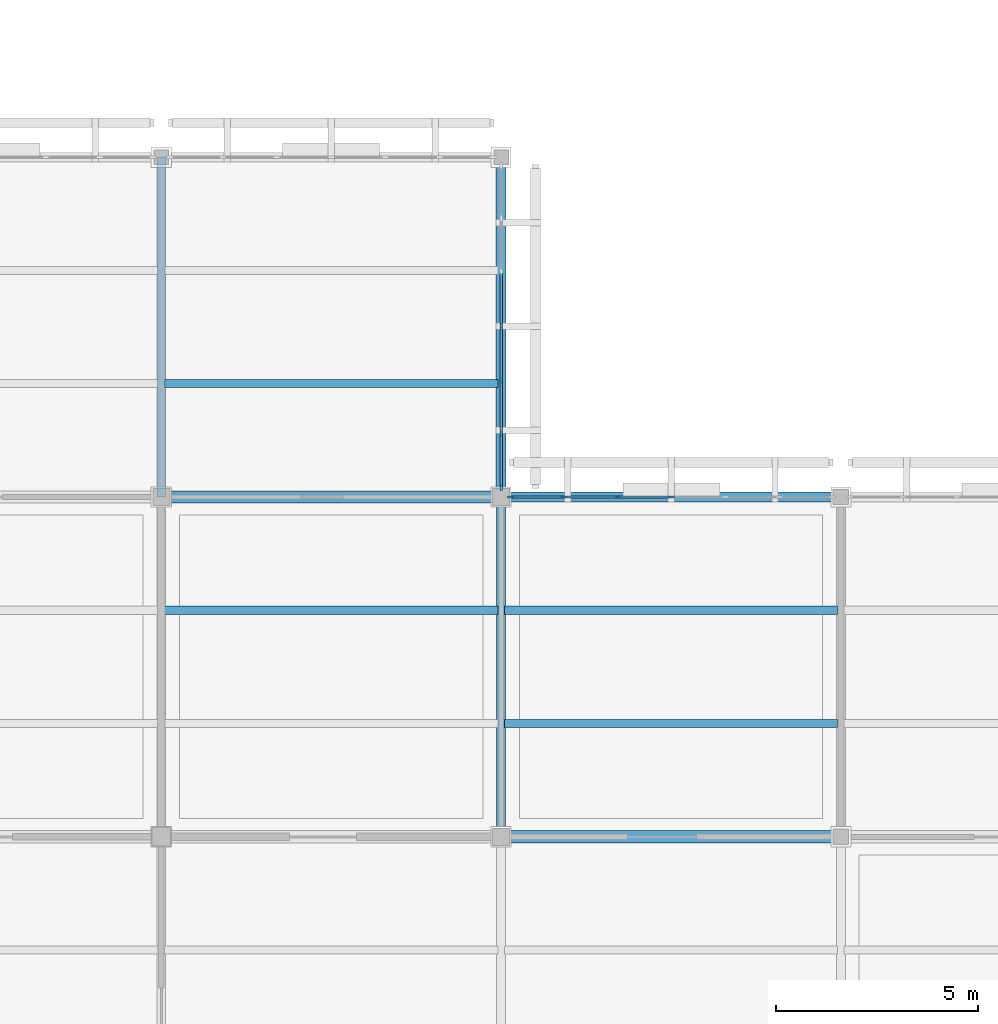
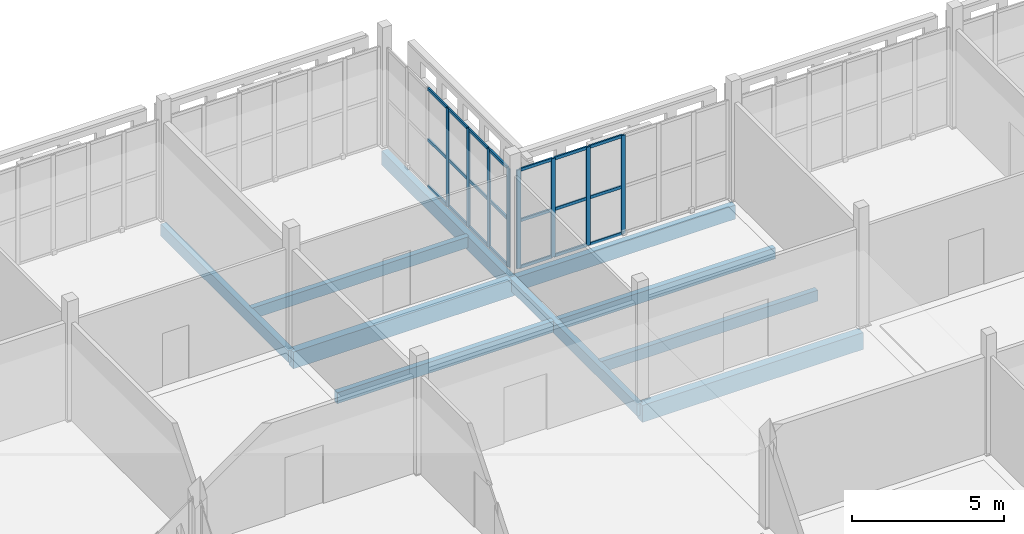
# One storey, part 27 of 203: 29 members, 10 beams, 2 elements without a shape of their own.
"""IFC4 building model written with IfcOpenShell, lengths in metres."""

from ifc_helpers import new_model, si_unit, direction, frame, origin, origin_2d, place, context, subcontext, project, spatial, rectangle, extrude, material, layer, layer_set, material_profile, profile_set, type_object, element, aggregate, save


model = new_model("IFC4")

# Units and contexts
model_context = context("Model", 3, precision=1e-05, world=origin(), true_north=direction((0.0, 1.0)))
body_context = subcontext(model_context, "Body", "Model", "MODEL_VIEW")
ifc_project = project(units=[si_unit("LENGTHUNIT", "METRE"), si_unit("AREAUNIT", "SQUARE_METRE"), si_unit("VOLUMEUNIT", "CUBIC_METRE"), si_unit("PLANEANGLEUNIT", "RADIAN"), si_unit("MASSUNIT", "GRAM", prefix="KILO")], contexts=[model_context])

# Site, building, storey
site_placement = place(None, origin())
site = spatial("IfcSite", under=ifc_project, at=site_placement, CompositionType="ELEMENT")
building_placement = place(site_placement, origin())
building = spatial("IfcBuilding", under=site, at=building_placement, Name="Varnapada Polytechnic", CompositionType="ELEMENT")
storey_placement = place(building_placement, frame((0.0, 0.0, 4.800048828125)))
storey = spatial("IfcBuildingStorey", under=building, at=storey_placement, Name="L01", CompositionType="ELEMENT", Elevation=4.800048828125)

# Beams
ifc_material_1 = material(Name="Glulam GL32h", Category="wood")
ifc_material_profile_1 = material_profile(ifc_material_1, rectangle(XDim=0.199951171875, YDim=0.43994140625, at=origin_2d()), Name="GL 200x440")
ifc_profile_set_1 = profile_set([ifc_material_profile_1], Name="Glulam GL32h")
beam_type_1 = type_object("IfcBeamType", Name="Heavy laboratory glulam joist GJ-03 (GL 200x440)", PredefinedType="JOIST", material=ifc_profile_set_1)
for number, where, z_axis, x_axis, name in (
    (1, (50.47998046875, 39.199951171875, -0.47998046875), (1.0, 0.0, 0.0), (0.0, 1.0, 0.0), "L01 floor joist 7/5.2"),
    (2, (50.47998046875, 44.800048828125, -0.47998046875), (1.0, 0.0, 0.0), (0.0, 1.0, 0.0), "L01 floor joist 7/6.1"),
):
    element("IfcBeam", number, at=place(storey_placement, frame(where, z_axis=z_axis, x_axis=x_axis)), inside=storey, type_object=beam_type_1, Name=name, PredefinedType="JOIST", context=body_context, shape_type="SweptSolid", body=[
        extrude(rectangle(XDim=0.199951171875, YDim=0.43994140625, at=origin_2d()), origin(), (0.0, 0.0, 1.0), 8.239990234375),
    ])
for number, where, z_axis, x_axis, name in (
    (3, (58.8798828125, 36.39990234375, -0.47998046875), (1.0, 0.0, 0.0), (0.0, 1.0, 0.0), "L01 floor joist 8/5.1"),
    (4, (58.8798828125, 39.199951171875, -0.47998046875), (1.0, 0.0, 0.0), (0.0, 1.0, 0.0), "L01 floor joist 8/5.2"),
):
    element("IfcBeam", number, at=place(storey_placement, frame(where, z_axis=z_axis, x_axis=x_axis)), inside=storey, type_object=beam_type_1, Name=name, PredefinedType="JOIST", context=body_context, shape_type="SweptSolid", body=[
        extrude(rectangle(XDim=0.199951171875, YDim=0.43994140625, at=origin_2d()), origin(), (0.0, 0.0, 1.0), 8.240234375),
    ])

# Curtain wall, members
ifc_material_2 = material(Name="Double low-E laminated glass", Category="glass")
ifc_layer = layer(ifc_material_2, 0.159912109375)
ifc_layer_set = layer_set([ifc_layer], Name="Double low-E laminated glass")
curtain_wall_type = type_object("IfcCurtainWallType", Name="Curtain Wall CW-01", PredefinedType="NOTDEFINED", material=ifc_layer_set)
curtain_wall_1_placement = place(storey_placement, origin())
curtain_wall_1 = element("IfcCurtainWall", 5, at=curtain_wall_1_placement, inside=storey, type_object=curtain_wall_type, Name="L01 unitised curtain wall CW-01 (51)", PredefinedType="NOTDEFINED")
ifc_material_3 = material(Name="Anodised aluminium", Category="aluminium")
ifc_material_profile_2 = material_profile(ifc_material_3, rectangle(XDim=0.06005859375, YDim=0.159912109375, at=origin_2d()), Name="ALU M60x160")
ifc_profile_set_2 = profile_set([ifc_material_profile_2], Name="Anodised aluminium")
member_type_1 = type_object("IfcMemberType", Name="Mullion M-01", PredefinedType="MULLION", material=ifc_profile_set_2)
member_1_placement = place(storey_placement, frame((58.800048828125, 46.215087890625, 0.0), z_axis=(0.0, 0.0, 1.0), x_axis=(1.0, 0.0, 0.0)))
member_1 = element("IfcMember", 6, at=member_1_placement, type_object=member_type_1, Name="CW-01 mullion 4", PredefinedType="MULLION", context=body_context, shape_type="SweptSolid", body=[
    extrude(rectangle(XDim=0.06005859375, YDim=0.159912109375, at=origin_2d()), origin(), (0.0, 0.0, 1.0), 3.9599609375),
])
member_2_placement = place(storey_placement, frame((58.800048828125, 44.8798828125, 0.0), z_axis=(0.0, 0.0, 1.0), x_axis=(1.0, 0.0, 0.0)))
member_2 = element("IfcMember", 7, at=member_2_placement, type_object=member_type_1, Name="CW-01 mullion 5", PredefinedType="MULLION", context=body_context, shape_type="SweptSolid", body=[
    extrude(rectangle(XDim=0.06005859375, YDim=0.159912109375, at=origin_2d()), origin(), (0.0, 0.0, 1.0), 3.9599609375),
])
member_3_placement = place(storey_placement, frame((58.800048828125, 43.544921875, 0.0), z_axis=(0.0, 0.0, 1.0), x_axis=(1.0, 0.0, 0.0)))
member_3 = element("IfcMember", 8, at=member_3_placement, type_object=member_type_1, Name="CW-01 mullion 6", PredefinedType="MULLION", context=body_context, shape_type="SweptSolid", body=[
    extrude(rectangle(XDim=0.06005859375, YDim=0.159912109375, at=origin_2d()), origin(), (0.0, 0.0, 1.0), 3.9599609375),
])
member_4_placement = place(storey_placement, frame((58.800048828125, 42.239990234375, 0.0), z_axis=(0.0, 0.0, 1.0), x_axis=(1.0, 0.0, 0.0)))
member_4 = element("IfcMember", 9, at=member_4_placement, type_object=member_type_1, Name="CW-01 mullion 7", PredefinedType="MULLION", context=body_context, shape_type="SweptSolid", body=[
    extrude(rectangle(XDim=0.06005859375, YDim=0.159912109375, at=origin_2d()), origin(), (0.0, 0.0, 1.0), 3.9599609375),
])

curtain_wall_2_placement = place(storey_placement, origin())
curtain_wall_2 = element("IfcCurtainWall", 10, at=curtain_wall_2_placement, inside=storey, type_object=curtain_wall_type, Name="L01 unitised curtain wall CW-01 (56)", PredefinedType="NOTDEFINED")
member_5_placement = place(storey_placement, frame((59.0400390625, 42.0, 0.0), z_axis=(0.0, 0.0, 1.0), x_axis=(0.0, 1.0, 0.0)))
member_5 = element("IfcMember", 11, at=member_5_placement, type_object=member_type_1, Name="CW-01 mullion 1", PredefinedType="MULLION", context=body_context, shape_type="SweptSolid", body=[
    extrude(rectangle(XDim=0.06005859375, YDim=0.159912109375, at=origin_2d()), origin(), (0.0, 0.0, 1.0), 3.9599609375),
])
member_6_placement = place(storey_placement, frame((60.34326171875, 42.0, 0.0), z_axis=(0.0, 0.0, 1.0), x_axis=(0.0, 1.0, 0.0)))
member_6 = element("IfcMember", 12, at=member_6_placement, type_object=member_type_1, Name="CW-01 mullion 2", PredefinedType="MULLION", context=body_context, shape_type="SweptSolid", body=[
    extrude(rectangle(XDim=0.06005859375, YDim=0.159912109375, at=origin_2d()), origin(), (0.0, 0.0, 1.0), 3.9599609375),
])
member_7_placement = place(storey_placement, frame((61.6767578125, 42.0, 0.0), z_axis=(0.0, 0.0, 1.0), x_axis=(0.0, 1.0, 0.0)))
member_7 = element("IfcMember", 13, at=member_7_placement, type_object=member_type_1, Name="CW-01 mullion 3", PredefinedType="MULLION", context=body_context, shape_type="SweptSolid", body=[
    extrude(rectangle(XDim=0.06005859375, YDim=0.159912109375, at=origin_2d()), origin(), (0.0, 0.0, 1.0), 3.9599609375),
])
member_8_placement = place(storey_placement, frame((63.010009765625, 42.0, 0.0), z_axis=(0.0, 0.0, 1.0), x_axis=(0.0, 1.0, 0.0)))
member_8 = element("IfcMember", 14, at=member_8_placement, type_object=member_type_1, Name="CW-01 mullion 4", PredefinedType="MULLION", context=body_context, shape_type="SweptSolid", body=[
    extrude(rectangle(XDim=0.06005859375, YDim=0.159912109375, at=origin_2d()), origin(), (0.0, 0.0, 1.0), 3.9599609375),
])

# Beams
ifc_material_profile_3 = material_profile(ifc_material_1, rectangle(XDim=0.239990234375, YDim=0.56005859375, at=origin_2d()), Name="GL 240x560")
ifc_profile_set_3 = profile_set([ifc_material_profile_3], Name="Glulam GL32h")
beam_type_2 = type_object("IfcBeamType", Name="Perimeter glulam spandrel beam SP-02 (GL 240x560)", PredefinedType="SPANDREL", material=ifc_profile_set_3)
for number, where, z_axis, x_axis, name in (
    (15, (58.800048828125, 42.0, -0.5400390625), (1.0, 0.0, 0.0), (0.0, 1.0, 0.0), "L01 beam X 8-9 at Y6"),
    (16, (58.800048828125, 42.0, -0.5400390625), (0.0, 1.0, 0.0), (-1.0, 0.0, 0.0), "L01 beam Y 6-7 at X8"),
):
    element("IfcBeam", number, at=place(storey_placement, frame(where, z_axis=z_axis, x_axis=x_axis)), inside=storey, type_object=beam_type_2, Name=name, PredefinedType="SPANDREL", context=body_context, shape_type="SweptSolid", body=[
        extrude(rectangle(XDim=0.239990234375, YDim=0.56005859375, at=origin_2d()), origin(), (0.0, 0.0, 1.0), 8.39990234375),
    ])

# Member
ifc_material_profile_4 = material_profile(ifc_material_3, rectangle(XDim=0.06005859375, YDim=0.1201171875, at=origin_2d()), Name="ALU T60x120")
ifc_profile_set_4 = profile_set([ifc_material_profile_4], Name="Anodised aluminium")
member_type_2 = type_object("IfcMemberType", Name="Transom T-01", PredefinedType="USERDEFINED", material=ifc_profile_set_4)
member_9_placement = place(storey_placement, frame((58.800048828125, 47.52001953125, 0.030029296875), z_axis=(0.0, -1.0, 0.0), x_axis=(1.0, 0.0, 0.0)))
member_9 = element("IfcMember", 17, at=member_9_placement, type_object=member_type_2, Name="CW-01 transom 3.1", ObjectType="TRANSOM", PredefinedType="USERDEFINED", context=body_context, shape_type="SweptSolid", body=[
    extrude(rectangle(XDim=0.06005859375, YDim=0.1201171875, at=origin_2d()), origin(), (0.0, 0.0, 1.0), 1.27490234375),
])

member_10_placement = place(storey_placement, frame((58.800048828125, 47.52001953125, 1.900634765625), z_axis=(0.0, -1.0, 0.0), x_axis=(1.0, 0.0, 0.0)))
member_10 = element("IfcMember", 18, at=member_10_placement, type_object=member_type_2, Name="CW-01 transom 3.2", ObjectType="TRANSOM", PredefinedType="USERDEFINED", context=body_context, shape_type="SweptSolid", body=[
    extrude(rectangle(XDim=0.06005859375, YDim=0.1201171875, at=origin_2d()), origin(), (0.0, 0.0, 1.0), 1.27490234375),
])

member_11_placement = place(storey_placement, frame((58.800048828125, 47.52001953125, 3.929931640625), z_axis=(0.0, -1.0, 0.0), x_axis=(1.0, 0.0, 0.0)))
member_11 = element("IfcMember", 19, at=member_11_placement, type_object=member_type_2, Name="CW-01 transom 3.3", ObjectType="TRANSOM", PredefinedType="USERDEFINED", context=body_context, shape_type="SweptSolid", body=[
    extrude(rectangle(XDim=0.06005859375, YDim=0.1201171875, at=origin_2d()), origin(), (0.0, 0.0, 1.0), 1.27490234375),
])

member_12_placement = place(storey_placement, frame((58.800048828125, 46.18505859375, 0.030029296875), z_axis=(0.0, -1.0, 0.0), x_axis=(1.0, 0.0, 0.0)))
member_12 = element("IfcMember", 20, at=member_12_placement, type_object=member_type_2, Name="CW-01 transom 4.1", ObjectType="TRANSOM", PredefinedType="USERDEFINED", context=body_context, shape_type="SweptSolid", body=[
    extrude(rectangle(XDim=0.06005859375, YDim=0.1201171875, at=origin_2d()), origin(), (0.0, 0.0, 1.0), 1.275146484375),
])

member_13_placement = place(storey_placement, frame((58.800048828125, 46.18505859375, 1.900634765625), z_axis=(0.0, -1.0, 0.0), x_axis=(1.0, 0.0, 0.0)))
member_13 = element("IfcMember", 21, at=member_13_placement, type_object=member_type_2, Name="CW-01 transom 4.2", ObjectType="TRANSOM", PredefinedType="USERDEFINED", context=body_context, shape_type="SweptSolid", body=[
    extrude(rectangle(XDim=0.06005859375, YDim=0.1201171875, at=origin_2d()), origin(), (0.0, 0.0, 1.0), 1.275146484375),
])

member_14_placement = place(storey_placement, frame((58.800048828125, 46.18505859375, 3.929931640625), z_axis=(0.0, -1.0, 0.0), x_axis=(1.0, 0.0, 0.0)))
member_14 = element("IfcMember", 22, at=member_14_placement, type_object=member_type_2, Name="CW-01 transom 4.3", ObjectType="TRANSOM", PredefinedType="USERDEFINED", context=body_context, shape_type="SweptSolid", body=[
    extrude(rectangle(XDim=0.06005859375, YDim=0.1201171875, at=origin_2d()), origin(), (0.0, 0.0, 1.0), 1.275146484375),
])

member_15_placement = place(storey_placement, frame((58.800048828125, 44.85009765625, 0.030029296875), z_axis=(0.0, -1.0, 0.0), x_axis=(1.0, 0.0, 0.0)))
member_15 = element("IfcMember", 23, at=member_15_placement, type_object=member_type_2, Name="CW-01 transom 5.1", ObjectType="TRANSOM", PredefinedType="USERDEFINED", context=body_context, shape_type="SweptSolid", body=[
    extrude(rectangle(XDim=0.06005859375, YDim=0.1201171875, at=origin_2d()), origin(), (0.0, 0.0, 1.0), 1.275146484375),
])

member_16_placement = place(storey_placement, frame((58.800048828125, 44.85009765625, 1.900634765625), z_axis=(0.0, -1.0, 0.0), x_axis=(1.0, 0.0, 0.0)))
member_16 = element("IfcMember", 24, at=member_16_placement, type_object=member_type_2, Name="CW-01 transom 5.2", ObjectType="TRANSOM", PredefinedType="USERDEFINED", context=body_context, shape_type="SweptSolid", body=[
    extrude(rectangle(XDim=0.06005859375, YDim=0.1201171875, at=origin_2d()), origin(), (0.0, 0.0, 1.0), 1.275146484375),
])

member_17_placement = place(storey_placement, frame((58.800048828125, 44.85009765625, 3.929931640625), z_axis=(0.0, -1.0, 0.0), x_axis=(1.0, 0.0, 0.0)))
member_17 = element("IfcMember", 25, at=member_17_placement, type_object=member_type_2, Name="CW-01 transom 5.3", ObjectType="TRANSOM", PredefinedType="USERDEFINED", context=body_context, shape_type="SweptSolid", body=[
    extrude(rectangle(XDim=0.06005859375, YDim=0.1201171875, at=origin_2d()), origin(), (0.0, 0.0, 1.0), 1.275146484375),
])

member_18_placement = place(storey_placement, frame((58.800048828125, 43.514892578125, 0.030029296875), z_axis=(0.0, -1.0, 0.0), x_axis=(1.0, 0.0, 0.0)))
member_18 = element("IfcMember", 26, at=member_18_placement, type_object=member_type_2, Name="CW-01 transom 6.1", ObjectType="TRANSOM", PredefinedType="USERDEFINED", context=body_context, shape_type="SweptSolid", body=[
    extrude(rectangle(XDim=0.06005859375, YDim=0.1201171875, at=origin_2d()), origin(), (0.0, 0.0, 1.0), 1.244873046875),
])

member_19_placement = place(storey_placement, frame((58.800048828125, 43.514892578125, 1.900634765625), z_axis=(0.0, -1.0, 0.0), x_axis=(1.0, 0.0, 0.0)))
member_19 = element("IfcMember", 27, at=member_19_placement, type_object=member_type_2, Name="CW-01 transom 6.2", ObjectType="TRANSOM", PredefinedType="USERDEFINED", context=body_context, shape_type="SweptSolid", body=[
    extrude(rectangle(XDim=0.06005859375, YDim=0.1201171875, at=origin_2d()), origin(), (0.0, 0.0, 1.0), 1.244873046875),
])

member_20_placement = place(storey_placement, frame((58.800048828125, 43.514892578125, 3.929931640625), z_axis=(0.0, -1.0, 0.0), x_axis=(1.0, 0.0, 0.0)))
member_20 = element("IfcMember", 28, at=member_20_placement, type_object=member_type_2, Name="CW-01 transom 6.3", ObjectType="TRANSOM", PredefinedType="USERDEFINED", context=body_context, shape_type="SweptSolid", body=[
    extrude(rectangle(XDim=0.06005859375, YDim=0.1201171875, at=origin_2d()), origin(), (0.0, 0.0, 1.0), 1.244873046875),
])

aggregate(curtain_wall_1, [member_1, member_2, member_3, member_4, member_9, member_10, member_11, member_12, member_13, member_14, member_15, member_16, member_17, member_18, member_19, member_20])

member_21_placement = place(storey_placement, frame((59.070068359375, 42.0, 0.030029296875), z_axis=(1.0, 0.0, 0.0), x_axis=(0.0, 1.0, 0.0)))
member_21 = element("IfcMember", 29, at=member_21_placement, type_object=member_type_2, Name="CW-01 transom 1.1", ObjectType="TRANSOM", PredefinedType="USERDEFINED", context=body_context, shape_type="SweptSolid", body=[
    extrude(rectangle(XDim=0.06005859375, YDim=0.1201171875, at=origin_2d()), origin(), (0.0, 0.0, 1.0), 1.2431640625),
])

member_22_placement = place(storey_placement, frame((59.070068359375, 42.0, 1.900634765625), z_axis=(1.0, 0.0, 0.0), x_axis=(0.0, 1.0, 0.0)))
member_22 = element("IfcMember", 30, at=member_22_placement, type_object=member_type_2, Name="CW-01 transom 1.2", ObjectType="TRANSOM", PredefinedType="USERDEFINED", context=body_context, shape_type="SweptSolid", body=[
    extrude(rectangle(XDim=0.06005859375, YDim=0.1201171875, at=origin_2d()), origin(), (0.0, 0.0, 1.0), 1.2431640625),
])

member_23_placement = place(storey_placement, frame((59.070068359375, 42.0, 3.929931640625), z_axis=(1.0, 0.0, 0.0), x_axis=(0.0, 1.0, 0.0)))
member_23 = element("IfcMember", 31, at=member_23_placement, type_object=member_type_2, Name="CW-01 transom 1.3", ObjectType="TRANSOM", PredefinedType="USERDEFINED", context=body_context, shape_type="SweptSolid", body=[
    extrude(rectangle(XDim=0.06005859375, YDim=0.1201171875, at=origin_2d()), origin(), (0.0, 0.0, 1.0), 1.2431640625),
])

member_24_placement = place(storey_placement, frame((60.373291015625, 42.0, 0.030029296875), z_axis=(1.0, 0.0, 0.0), x_axis=(0.0, 1.0, 0.0)))
member_24 = element("IfcMember", 32, at=member_24_placement, type_object=member_type_2, Name="CW-01 transom 2.1", ObjectType="TRANSOM", PredefinedType="USERDEFINED", context=body_context, shape_type="SweptSolid", body=[
    extrude(rectangle(XDim=0.06005859375, YDim=0.1201171875, at=origin_2d()), origin(), (0.0, 0.0, 1.0), 1.2734375),
])

member_25_placement = place(storey_placement, frame((60.373291015625, 42.0, 1.900634765625), z_axis=(1.0, 0.0, 0.0), x_axis=(0.0, 1.0, 0.0)))
member_25 = element("IfcMember", 33, at=member_25_placement, type_object=member_type_2, Name="CW-01 transom 2.2", ObjectType="TRANSOM", PredefinedType="USERDEFINED", context=body_context, shape_type="SweptSolid", body=[
    extrude(rectangle(XDim=0.06005859375, YDim=0.1201171875, at=origin_2d()), origin(), (0.0, 0.0, 1.0), 1.2734375),
])

member_26_placement = place(storey_placement, frame((60.373291015625, 42.0, 3.929931640625), z_axis=(1.0, 0.0, 0.0), x_axis=(0.0, 1.0, 0.0)))
member_26 = element("IfcMember", 34, at=member_26_placement, type_object=member_type_2, Name="CW-01 transom 2.3", ObjectType="TRANSOM", PredefinedType="USERDEFINED", context=body_context, shape_type="SweptSolid", body=[
    extrude(rectangle(XDim=0.06005859375, YDim=0.1201171875, at=origin_2d()), origin(), (0.0, 0.0, 1.0), 1.2734375),
])

member_27_placement = place(storey_placement, frame((61.706787109375, 42.0, 0.030029296875), z_axis=(1.0, 0.0, 0.0), x_axis=(0.0, 1.0, 0.0)))
member_27 = element("IfcMember", 35, at=member_27_placement, type_object=member_type_2, Name="CW-01 transom 3.1", ObjectType="TRANSOM", PredefinedType="USERDEFINED", context=body_context, shape_type="SweptSolid", body=[
    extrude(rectangle(XDim=0.06005859375, YDim=0.1201171875, at=origin_2d()), origin(), (0.0, 0.0, 1.0), 1.273193359375),
])

member_28_placement = place(storey_placement, frame((61.706787109375, 42.0, 1.900634765625), z_axis=(1.0, 0.0, 0.0), x_axis=(0.0, 1.0, 0.0)))
member_28 = element("IfcMember", 36, at=member_28_placement, type_object=member_type_2, Name="CW-01 transom 3.2", ObjectType="TRANSOM", PredefinedType="USERDEFINED", context=body_context, shape_type="SweptSolid", body=[
    extrude(rectangle(XDim=0.06005859375, YDim=0.1201171875, at=origin_2d()), origin(), (0.0, 0.0, 1.0), 1.273193359375),
])

member_29_placement = place(storey_placement, frame((61.706787109375, 42.0, 3.929931640625), z_axis=(1.0, 0.0, 0.0), x_axis=(0.0, 1.0, 0.0)))
member_29 = element("IfcMember", 37, at=member_29_placement, type_object=member_type_2, Name="CW-01 transom 3.3", ObjectType="TRANSOM", PredefinedType="USERDEFINED", context=body_context, shape_type="SweptSolid", body=[
    extrude(rectangle(XDim=0.06005859375, YDim=0.1201171875, at=origin_2d()), origin(), (0.0, 0.0, 1.0), 1.273193359375),
])

aggregate(curtain_wall_2, [member_5, member_6, member_7, member_8, member_21, member_22, member_23, member_24, member_25, member_26, member_27, member_28, member_29])

# Beams
ifc_material_profile_5 = material_profile(ifc_material_1, rectangle(XDim=0.219970703125, YDim=0.47998046875, at=origin_2d()), Name="GL 220x480")
ifc_profile_set_5 = profile_set([ifc_material_profile_5], Name="Glulam GL32h")
beam_type_3 = type_object("IfcBeamType", Name="Upper floor glulam tie beam GB-11 (GL 220x480)", PredefinedType="BEAM", material=ifc_profile_set_5)
for number, where, z_axis, x_axis, name in (
    (38, (50.39990234375, 42.0, -0.5), (0.0, 1.0, 0.0), (-1.0, 0.0, 0.0), "L01 beam Y 6-7 at X7"),
    (39, (58.800048828125, 33.60009765625, -0.5), (0.0, 1.0, 0.0), (-1.0, 0.0, 0.0), "L01 beam Y 5-6 at X8"),
):
    element("IfcBeam", number, at=place(storey_placement, frame(where, z_axis=z_axis, x_axis=x_axis)), inside=storey, type_object=beam_type_3, Name=name, PredefinedType="BEAM", context=body_context, shape_type="SweptSolid", body=[
        extrude(rectangle(XDim=0.219970703125, YDim=0.47998046875, at=origin_2d()), origin(), (0.0, 0.0, 1.0), 8.39990234375),
    ])
ifc_material_profile_6 = material_profile(ifc_material_1, rectangle(XDim=0.300048828125, YDim=0.679931640625, at=origin_2d()), Name="GL 300x680")
ifc_profile_set_6 = profile_set([ifc_material_profile_6], Name="Glulam GL32h")
beam_type_4 = type_object("IfcBeamType", Name="Wet laboratory glulam girder GG-04 (GL 300x680)", PredefinedType="BEAM", material=ifc_profile_set_6)
beam_1_placement = place(storey_placement, frame((50.39990234375, 42.0, -0.60009765625), z_axis=(1.0, 0.0, 0.0), x_axis=(0.0, 1.0, 0.0)))
element("IfcBeam", 40, at=beam_1_placement, inside=storey, type_object=beam_type_4, Name="L01 beam X 7-8 at Y6", PredefinedType="BEAM", context=body_context, shape_type="SweptSolid", body=[
    extrude(rectangle(XDim=0.300048828125, YDim=0.679931640625, at=origin_2d()), origin(), (0.0, 0.0, 1.0), 8.400146484375),
])
beam_2_placement = place(storey_placement, frame((58.800048828125, 33.60009765625, -0.60009765625), z_axis=(1.0, 0.0, 0.0), x_axis=(0.0, 1.0, 0.0)))
element("IfcBeam", 41, at=beam_2_placement, inside=storey, type_object=beam_type_4, Name="L01 beam X 8-9 at Y5", PredefinedType="BEAM", context=body_context, shape_type="SweptSolid", body=[
    extrude(rectangle(XDim=0.300048828125, YDim=0.679931640625, at=origin_2d()), origin(), (0.0, 0.0, 1.0), 8.39990234375),
])

save(model, "model.ifc")
